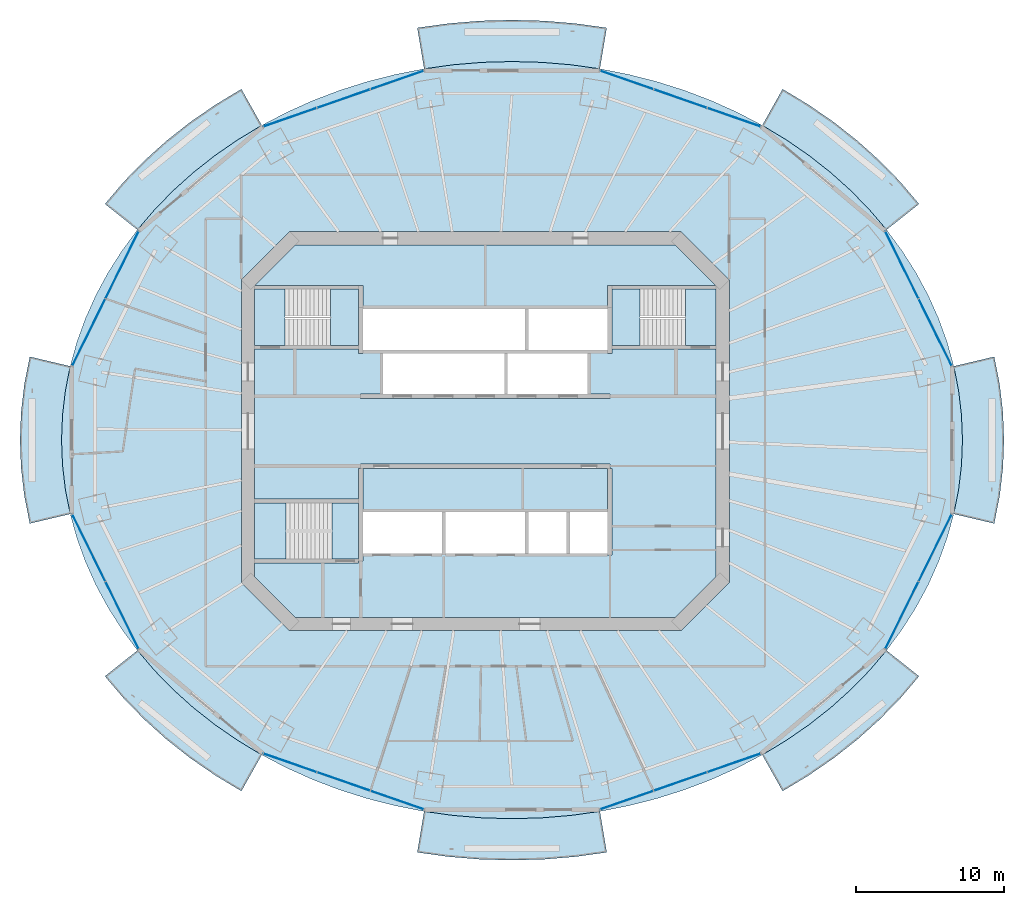
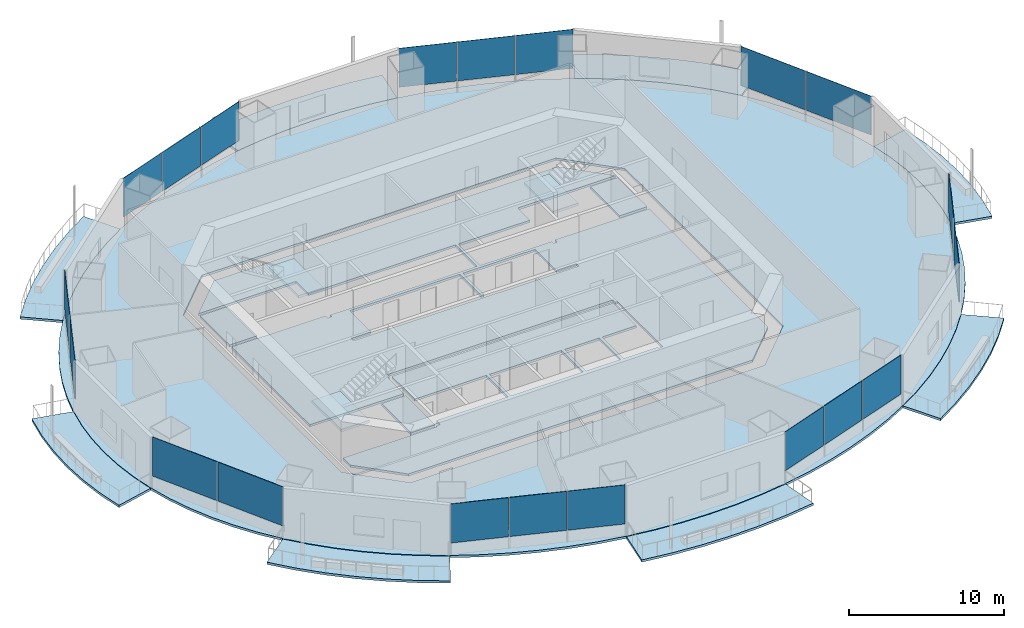
# One storey, part 9 of 19: 20 plates, 16 slabs, 11 elements without a shape of their own.
"""IFC4 building model written with IfcOpenShell, lengths in metres."""

from ifc_helpers import new_model, si_unit, direction, frame, origin, origin_2d, place, context, subcontext, project, spatial, polyline, rectangle, outline, extrude, material, layer, layer_set, type_object, element, aggregate, save


model = new_model("IFC4")

# Units and contexts
model_context = context("Model", 3, precision=1e-05, world=origin(), true_north=direction((0.0, 1.0)))
body_context = subcontext(model_context, "Body", "Model", "MODEL_VIEW")
ifc_project = project(units=[si_unit("LENGTHUNIT", "METRE"), si_unit("AREAUNIT", "SQUARE_METRE"), si_unit("VOLUMEUNIT", "CUBIC_METRE"), si_unit("PLANEANGLEUNIT", "RADIAN"), si_unit("MASSUNIT", "GRAM", prefix="KILO")], contexts=[model_context])

# Site, building, storey
site_placement = place(None, origin())
site = spatial("IfcSite", under=ifc_project, at=site_placement, CompositionType="ELEMENT")
building_placement = place(site_placement, origin())
building = spatial("IfcBuilding", under=site, at=building_placement, Name="Marenthal Gate Tower", CompositionType="ELEMENT")
storey_placement = place(building_placement, frame((0.0, 0.0, 235.75)))
storey = spatial("IfcBuildingStorey", under=building, at=storey_placement, Name="L52", CompositionType="ELEMENT", Elevation=235.75)

# Slabs
ifc_material_1 = material(Name="Concrete 40 MPa", Category="concrete")
ifc_layer_1 = layer(ifc_material_1, 0.179931640625)
ifc_layer_set_1 = layer_set([ifc_layer_1], Name="Balcony deck 180")
slab_type_1 = type_object("IfcSlabType", Name="Balcony deck 180", PredefinedType="USERDEFINED", material=ifc_layer_set_1)
slab_1_placement = place(storey_placement, frame((0.0, 0.0, -0.219970703125)))
element("IfcSlab", 1, at=slab_1_placement, inside=storey, type_object=slab_type_1, Name="Balcony deck L52 bay 2", ObjectType="BALCONY", PredefinedType="USERDEFINED", context=body_context, shape_type="SweptSolid", body=[
    extrude(outline(polyline([(27.047607421875, 13.57763671875), (25.89013671875, 14.93505859375), (24.629638671875, 16.225830078125), (23.271240234375, 17.444580078125), (21.821044921875, 18.586181640625), (20.284912109375, 19.6455078125), (18.669921875, 20.618408203125), (20.040771484375, 23.059814453125), (21.802490234375, 21.998779296875), (23.482177734375, 20.840087890625), (25.07275390625, 19.588134765625), (26.56689453125, 18.247314453125), (27.9580078125, 16.822998046875), (29.2392578125, 15.320068359375), (27.047607421875, 13.57763671875)])), origin(), (0.0, 0.0, 1.0), 0.179931640625),
])
slab_2_placement = place(storey_placement, frame((0.0, 0.0, -0.219970703125)))
element("IfcSlab", 2, at=slab_2_placement, inside=storey, type_object=slab_type_1, Name="Balcony deck L52 bay 4", ObjectType="BALCONY", PredefinedType="USERDEFINED", context=body_context, shape_type="SweptSolid", body=[
    extrude(outline(polyline([(7.723876953125, 24.4287109375), (5.763427734375, 24.70068359375), (3.785888671875, 24.864501953125), (1.800048828125, 24.9189453125), (-0.18603515625, 24.864501953125), (-2.163330078125, 24.70068359375), (-4.123779296875, 24.4287109375), (-4.58544921875, 27.1904296875), (-2.471435546875, 27.483642578125), (-0.340087890625, 27.66015625), (1.800048828125, 27.718994140625), (3.93994140625, 27.66015625), (6.0712890625, 27.483642578125), (8.185546875, 27.1904296875), (7.723876953125, 24.4287109375)])), origin(), (0.0, 0.0, 1.0), 0.179931640625),
])
slab_3_placement = place(storey_placement, frame((0.0, 0.0, -0.219970703125)))
element("IfcSlab", 3, at=slab_3_placement, inside=storey, type_object=slab_type_1, Name="Balcony deck L52 bay 6", ObjectType="BALCONY", PredefinedType="USERDEFINED", context=body_context, shape_type="SweptSolid", body=[
    extrude(outline(polyline([(-15.06982421875, 20.618408203125), (-16.68505859375, 19.6455078125), (-18.220947265625, 18.586181640625), (-19.67138671875, 17.444580078125), (-21.029541015625, 16.225830078125), (-22.290283203125, 14.93505859375), (-23.447509765625, 13.57763671875), (-25.639404296875, 15.320068359375), (-24.35791015625, 16.822998046875), (-22.966796875, 18.247314453125), (-21.47265625, 19.588134765625), (-19.88232421875, 20.840087890625), (-18.202392578125, 21.998779296875), (-16.44091796875, 23.059814453125), (-15.06982421875, 20.618408203125)])), origin(), (0.0, 0.0, 1.0), 0.179931640625),
])
slab_4_placement = place(storey_placement, frame((0.0, 0.0, -0.219970703125)))
element("IfcSlab", 4, at=slab_4_placement, inside=storey, type_object=slab_type_1, Name="Balcony deck L52 bay 8", ObjectType="BALCONY", PredefinedType="USERDEFINED", context=body_context, shape_type="SweptSolid", body=[
    extrude(outline(polyline([(-27.9814453125, 4.37841796875), (-28.30517578125, 2.73095703125), (-28.5, 1.069091796875), (-28.56494140625, -0.60009765625), (-28.5, -2.26904296875), (-28.30517578125, -3.930908203125), (-27.9814453125, -5.57861328125), (-30.706298828125, -6.223388671875), (-31.071533203125, -4.3642578125), (-31.29150390625, -2.48681640625), (-31.364990234375, -0.60009765625), (-31.29150390625, 1.28662109375), (-31.071533203125, 3.164306640625), (-30.706298828125, 5.0234375), (-27.9814453125, 4.37841796875)])), origin(), (0.0, 0.0, 1.0), 0.179931640625),
])
slab_5_placement = place(storey_placement, frame((0.0, 0.0, -0.219970703125)))
element("IfcSlab", 5, at=slab_5_placement, inside=storey, type_object=slab_type_1, Name="Balcony deck L52 bay 10", ObjectType="BALCONY", PredefinedType="USERDEFINED", context=body_context, shape_type="SweptSolid", body=[
    extrude(outline(polyline([(-23.447509765625, -14.777587890625), (-22.290283203125, -16.135009765625), (-21.029541015625, -17.42578125), (-19.67138671875, -18.644775390625), (-18.220947265625, -19.7861328125), (-16.68505859375, -20.845703125), (-15.06982421875, -21.818359375), (-16.44091796875, -24.259765625), (-18.202392578125, -23.19873046875), (-19.88232421875, -22.040283203125), (-21.47265625, -20.788330078125), (-22.966796875, -19.447509765625), (-24.35791015625, -18.02294921875), (-25.639404296875, -16.52001953125), (-23.447509765625, -14.777587890625)])), origin(), (0.0, 0.0, 1.0), 0.179931640625),
])
slab_6_placement = place(storey_placement, frame((0.0, 0.0, -0.219970703125)))
element("IfcSlab", 6, at=slab_6_placement, inside=storey, type_object=slab_type_1, Name="Balcony deck L52 bay 12", ObjectType="BALCONY", PredefinedType="USERDEFINED", context=body_context, shape_type="SweptSolid", body=[
    extrude(outline(polyline([(-4.123779296875, -25.628662109375), (-2.163330078125, -25.900634765625), (-0.18603515625, -26.064453125), (1.800048828125, -26.118896484375), (3.785888671875, -26.064453125), (5.763427734375, -25.900634765625), (7.723876953125, -25.628662109375), (8.185546875, -28.390380859375), (6.0712890625, -28.683837890625), (3.93994140625, -28.860107421875), (1.800048828125, -28.9189453125), (-0.340087890625, -28.860107421875), (-2.471435546875, -28.683837890625), (-4.58544921875, -28.390380859375), (-4.123779296875, -25.628662109375)])), origin(), (0.0, 0.0, 1.0), 0.179931640625),
])
slab_7_placement = place(storey_placement, frame((0.0, 0.0, -0.219970703125)))
element("IfcSlab", 7, at=slab_7_placement, inside=storey, type_object=slab_type_1, Name="Balcony deck L52 bay 14", ObjectType="BALCONY", PredefinedType="USERDEFINED", context=body_context, shape_type="SweptSolid", body=[
    extrude(outline(polyline([(18.669921875, -21.818359375), (20.284912109375, -20.845703125), (21.821044921875, -19.7861328125), (23.271240234375, -18.644775390625), (24.629638671875, -17.42578125), (25.89013671875, -16.135009765625), (27.047607421875, -14.777587890625), (29.2392578125, -16.52001953125), (27.9580078125, -18.02294921875), (26.56689453125, -19.447509765625), (25.07275390625, -20.788330078125), (23.482177734375, -22.040283203125), (21.802490234375, -23.19873046875), (20.040771484375, -24.259765625), (18.669921875, -21.818359375)])), origin(), (0.0, 0.0, 1.0), 0.179931640625),
])
slab_8_placement = place(storey_placement, frame((0.0, 0.0, -0.219970703125)))
element("IfcSlab", 8, at=slab_8_placement, inside=storey, type_object=slab_type_1, Name="Balcony deck L52 bay 16", ObjectType="BALCONY", PredefinedType="USERDEFINED", context=body_context, shape_type="SweptSolid", body=[
    extrude(outline(polyline([(31.58154296875, -5.57861328125), (31.9052734375, -3.930908203125), (32.10009765625, -2.26904296875), (32.1650390625, -0.60009765625), (32.10009765625, 1.069091796875), (31.9052734375, 2.73095703125), (31.58154296875, 4.37841796875), (34.30615234375, 5.0234375), (34.67138671875, 3.164306640625), (34.8916015625, 1.28662109375), (34.965087890625, -0.60009765625), (34.8916015625, -2.48681640625), (34.67138671875, -4.3642578125), (34.30615234375, -6.223388671875), (31.58154296875, -5.57861328125)])), origin(), (0.0, 0.0, 1.0), 0.179931640625),
])
ifc_material_2 = material(Name="Concrete 50 MPa", Category="concrete")
ifc_layer_2 = layer(ifc_material_2, 0.179931640625)
ifc_layer_set_2 = layer_set([ifc_layer_2], Name="Core floor slab 180")
slab_type_2 = type_object("IfcSlabType", Name="Core floor slab 180", PredefinedType="FLOOR", material=ifc_layer_set_2)
slab_9_placement = place(storey_placement, frame((0.0, 0.0, -0.179931640625)))
element("IfcSlab", 9, at=slab_9_placement, inside=storey, type_object=slab_type_2, Name="Core floor L52", PredefinedType="FLOOR", context=body_context, shape_type="SweptSolid", body=[
    extrude(outline(polyline([(12.813720703125, -12.550048828125), (-12.813720703125, -12.550048828125), (-15.550048828125, -9.813720703125), (-15.550048828125, -8.875), (-8.550048828125, -8.875), (-8.550048828125, -8.75), (-8.25, -8.75), (-8.25, -8.239990234375), (-5.60009765625, -8.239990234375), (-2.909912109375, -8.239990234375), (-2.909912109375, -5.4599609375), (-5.60009765625, -5.4599609375), (-8.25, -5.4599609375), (-8.25, -2.5), (8.25, -2.5), (8.25, -5.4599609375), (5.7099609375, -5.4599609375), (5.7099609375, -8.239990234375), (8.25, -8.239990234375), (8.25, -8.35009765625), (8.550048828125, -8.35009765625), (8.550048828125, -2.5), (8.39990234375, -2.5), (8.39990234375, -2.199951171875), (-8.39990234375, -2.199951171875), (-8.39990234375, -2.5), (-8.550048828125, -2.5), (-8.550048828125, -4.574951171875), (-15.550048828125, -4.574951171875), (-15.550048828125, 5.52490234375), (-8.550048828125, 5.52490234375), (-8.550048828125, 5.239990234375), (-8.25, 5.239990234375), (-8.25, 5.4599609375), (-5.60009765625, 5.4599609375), (-2.800048828125, 5.4599609375), (0.0, 5.4599609375), (2.68994140625, 5.4599609375), (2.68994140625, 8.239990234375), (0.0, 8.239990234375), (-2.800048828125, 8.239990234375), (-5.60009765625, 8.239990234375), (-8.25, 8.239990234375), (-8.25, 8.35009765625), (-8.25, 9.824951171875), (-8.550048828125, 9.824951171875), (-15.53857421875, 9.824951171875), (-12.813720703125, 12.550048828125), (12.813720703125, 12.550048828125), (15.53857421875, 9.824951171875), (8.550048828125, 9.824951171875), (8.25, 9.824951171875), (8.25, 8.35009765625), (8.25, 8.239990234375), (5.60009765625, 8.239990234375), (2.909912109375, 8.239990234375), (2.909912109375, 5.4599609375), (5.60009765625, 5.4599609375), (8.25, 5.4599609375), (8.25, 5.239990234375), (8.550048828125, 5.239990234375), (8.550048828125, 5.52490234375), (15.550048828125, 5.52490234375), (15.550048828125, -9.813720703125), (12.813720703125, -12.550048828125)]), holes=[polyline([(2.68994140625, -8.239990234375), (2.68994140625, -5.4599609375), (0.0, -5.4599609375), (-2.68994140625, -5.4599609375), (-2.68994140625, -8.239990234375), (0.0, -8.239990234375), (2.68994140625, -8.239990234375)]), polyline([(-6.889892578125, 5.239990234375), (-6.889892578125, 2.5), (-8.39990234375, 2.5), (-8.39990234375, 2.199951171875), (8.39990234375, 2.199951171875), (8.39990234375, 2.5), (6.889892578125, 2.5), (6.889892578125, 5.239990234375), (4.199951171875, 5.239990234375), (1.510009765625, 5.239990234375), (1.510009765625, 2.5), (1.2900390625, 2.5), (1.2900390625, 5.239990234375), (-1.39990234375, 5.239990234375), (-4.199951171875, 5.239990234375), (-6.889892578125, 5.239990234375)]), polyline([(5.489990234375, -8.239990234375), (5.489990234375, -5.4599609375), (2.909912109375, -5.4599609375), (2.909912109375, -8.239990234375), (5.489990234375, -8.239990234375)])]), origin(), (0.0, 0.0, 1.0), 0.179931640625),
])
slab_10_placement = place(storey_placement, frame((0.0, 0.0, -0.179931640625)))
element("IfcSlab", 10, at=slab_10_placement, inside=storey, type_object=slab_type_2, Name="Core floor L52", PredefinedType="FLOOR", context=body_context, shape_type="SweptSolid", body=[
    extrude(outline(polyline([(15.550048828125, 5.77490234375), (13.5, 5.77490234375), (13.5, 9.574951171875), (15.550048828125, 9.574951171875), (15.550048828125, 5.77490234375)])), origin(), (0.0, 0.0, 1.0), 0.179931640625),
])
slab_11_placement = place(storey_placement, frame((0.0, 0.0, -0.179931640625)))
element("IfcSlab", 11, at=slab_11_placement, inside=storey, type_object=slab_type_2, Name="Core floor L52", PredefinedType="FLOOR", context=body_context, shape_type="SweptSolid", body=[
    extrude(outline(polyline([(-15.550048828125, 9.574951171875), (-13.5, 9.574951171875), (-13.5, 5.77490234375), (-15.550048828125, 5.77490234375), (-15.550048828125, 9.574951171875)])), origin(), (0.0, 0.0, 1.0), 0.179931640625),
])
slab_12_placement = place(storey_placement, frame((0.0, 0.0, -0.179931640625)))
element("IfcSlab", 12, at=slab_12_placement, inside=storey, type_object=slab_type_2, Name="Core floor L52", PredefinedType="FLOOR", context=body_context, shape_type="SweptSolid", body=[
    extrude(outline(polyline([(-8.550048828125, -8.625), (-10.35009765625, -8.625), (-10.35009765625, -4.824951171875), (-8.550048828125, -4.824951171875), (-8.550048828125, -8.625)])), origin(), (0.0, 0.0, 1.0), 0.179931640625),
])
ifc_material_3 = material(Name="Concrete 35 MPa", Category="concrete")
ifc_layer_3 = layer(ifc_material_3, 0.179931640625)
ifc_layer_set_3 = layer_set([ifc_layer_3], Name="Floor slab 180")
slab_type_3 = type_object("IfcSlabType", Name="Floor slab 180", PredefinedType="FLOOR", material=ifc_layer_set_3)
slab_13_placement = place(storey_placement, frame((0.0, 0.0, -0.179931640625)))
element("IfcSlab", 13, at=slab_13_placement, inside=storey, type_object=slab_type_3, Name="SL-L52-01", PredefinedType="FLOOR", context=body_context, shape_type="SweptSolid", body=[
    extrude(outline(polyline([(32.1650390625, -0.60009765625), (32.10009765625, 1.069091796875), (31.9052734375, 2.73095703125), (31.58154296875, 4.37841796875), (31.13037109375, 6.0048828125), (30.553466796875, 7.602783203125), (29.853515625, 9.165771484375), (29.033447265625, 10.686767578125), (28.096923828125, 12.159423828125), (27.047607421875, 13.57763671875), (25.89013671875, 14.93505859375), (24.629638671875, 16.225830078125), (23.271240234375, 17.444580078125), (21.821044921875, 18.586181640625), (20.284912109375, 19.6455078125), (18.669921875, 20.618408203125), (16.982421875, 21.5), (15.22998046875, 22.287353515625), (13.420166015625, 22.9765625), (11.560546875, 23.564697265625), (9.658935546875, 24.049560546875), (7.723876953125, 24.4287109375), (5.763427734375, 24.70068359375), (3.785888671875, 24.864501953125), (1.800048828125, 24.9189453125), (-0.18603515625, 24.864501953125), (-2.163330078125, 24.70068359375), (-4.123779296875, 24.4287109375), (-6.05908203125, 24.049560546875), (-7.96044921875, 23.564697265625), (-9.8203125, 22.9765625), (-11.630126953125, 22.287353515625), (-13.382568359375, 21.5), (-15.06982421875, 20.618408203125), (-16.68505859375, 19.6455078125), (-18.220947265625, 18.586181640625), (-19.67138671875, 17.444580078125), (-21.029541015625, 16.225830078125), (-22.290283203125, 14.93505859375), (-23.447509765625, 13.57763671875), (-24.496826171875, 12.159423828125), (-25.43359375, 10.686767578125), (-26.253662109375, 9.165771484375), (-26.95361328125, 7.602783203125), (-27.5302734375, 6.0048828125), (-27.9814453125, 4.37841796875), (-28.30517578125, 2.73095703125), (-28.5, 1.069091796875), (-28.56494140625, -0.60009765625), (-28.5, -2.26904296875), (-28.30517578125, -3.930908203125), (-27.9814453125, -5.57861328125), (-27.5302734375, -7.204833984375), (-26.95361328125, -8.802734375), (-26.253662109375, -10.36572265625), (-25.43359375, -11.88671875), (-24.496826171875, -13.359619140625), (-23.447509765625, -14.777587890625), (-22.290283203125, -16.135009765625), (-21.029541015625, -17.42578125), (-19.67138671875, -18.644775390625), (-18.220947265625, -19.7861328125), (-16.68505859375, -20.845703125), (-15.06982421875, -21.818359375), (-13.382568359375, -22.7001953125), (-11.630126953125, -23.4873046875), (-9.8203125, -24.176513671875), (-7.96044921875, -24.7646484375), (-6.05908203125, -25.24951171875), (-4.123779296875, -25.628662109375), (-2.163330078125, -25.900634765625), (-0.18603515625, -26.064453125), (1.800048828125, -26.118896484375), (3.785888671875, -26.064453125), (5.763427734375, -25.900634765625), (7.723876953125, -25.628662109375), (9.658935546875, -25.24951171875), (11.560546875, -24.7646484375), (13.420166015625, -24.176513671875), (15.22998046875, -23.4873046875), (16.982421875, -22.7001953125), (18.669921875, -21.818359375), (20.284912109375, -20.845703125), (21.821044921875, -19.7861328125), (23.271240234375, -18.644775390625), (24.629638671875, -17.42578125), (25.89013671875, -16.135009765625), (27.047607421875, -14.777587890625), (28.096923828125, -13.359619140625), (29.033447265625, -11.88671875), (29.853515625, -10.36572265625), (30.553466796875, -8.802734375), (31.13037109375, -7.204833984375), (31.58154296875, -5.57861328125), (31.9052734375, -3.930908203125), (32.10009765625, -2.26904296875), (32.1650390625, -0.60009765625)]), holes=[polyline([(13.186279296875, -13.449951171875), (16.449951171875, -10.186279296875), (16.449951171875, 10.186279296875), (13.186279296875, 13.449951171875), (-13.186279296875, 13.449951171875), (-16.449951171875, 10.186279296875), (-16.449951171875, -10.186279296875), (-13.186279296875, -13.449951171875), (13.186279296875, -13.449951171875)])]), origin(), (0.0, 0.0, 1.0), 0.179931640625),
])

# Curtain wall, plates
ifc_material_4 = material(Name="Aluminium and glass", Category="aluminium")
curtain_wall_type = type_object("IfcCurtainWallType", Name="Curtain wall typical mid", PredefinedType="NOTDEFINED", material=ifc_material_4)
curtain_wall_1_placement = place(storey_placement, origin())
curtain_wall_1 = element("IfcCurtainWall", 14, at=curtain_wall_1_placement, inside=storey, type_object=curtain_wall_type, Name="Curtain wall L52 bay 1", PredefinedType="NOTDEFINED")
ifc_material_5 = material(Name="Glass, laminated insulating unit", Category="glass")
ifc_layer_4 = layer(ifc_material_5, 0.030029296875)
ifc_layer_set_4 = layer_set([ifc_layer_4], Name="Glass panel 30 typical mid")
plate_type = type_object("IfcPlateType", Name="Glass panel 30 typical mid", PredefinedType="CURTAIN_PANEL", material=ifc_layer_set_4)
plate_1_placement = place(storey_placement, frame((30.328125, 6.657470703125, 0.89990234375), z_axis=(0.0, 0.0, 1.0), x_axis=(-0.442364258013, 0.896835471663, 0.0)))
plate_1 = element("IfcPlate", 15, at=plate_1_placement, type_object=plate_type, Name="Glass panel L52 bay 1.1", PredefinedType="CURTAIN_PANEL", context=body_context, shape_type="SweptSolid", body=[
    extrude(rectangle(XDim=5.014404296875, YDim=0.030029296875, at=origin_2d()), origin(), (0.0, 0.0, 1.0), 3.070068359375),
])
plate_2_placement = place(storey_placement, frame((28.08349609375, 11.20849609375, 0.89990234375), z_axis=(0.0, 0.0, 1.0), x_axis=(-0.442364258013, 0.896835471663, 0.0)))
plate_2 = element("IfcPlate", 16, at=plate_2_placement, type_object=plate_type, Name="Glass panel L52 bay 1.2", PredefinedType="CURTAIN_PANEL", context=body_context, shape_type="SweptSolid", body=[
    extrude(rectangle(XDim=5.014404296875, YDim=0.030029296875, at=origin_2d()), origin(), (0.0, 0.0, 1.0), 3.070068359375),
])
aggregate(curtain_wall_1, [plate_1, plate_2])

curtain_wall_2_placement = place(storey_placement, origin())
curtain_wall_2 = element("IfcCurtainWall", 17, at=curtain_wall_2_placement, inside=storey, type_object=curtain_wall_type, Name="Curtain wall L52 bay 3", PredefinedType="NOTDEFINED")
plate_3_placement = place(storey_placement, frame((16.76708984375, 21.1572265625, 0.89990234375), z_axis=(0.0, 0.0, 1.0), x_axis=(-0.944489901241, 0.328540448732, 0.0)))
plate_3 = element("IfcPlate", 18, at=plate_3_placement, type_object=plate_type, Name="Glass panel L52 bay 3.1", PredefinedType="CURTAIN_PANEL", context=body_context, shape_type="SweptSolid", body=[
    extrude(rectangle(XDim=3.767822265625, YDim=0.030029296875, at=origin_2d()), origin(), (0.0, 0.0, 1.0), 3.070068359375),
])
plate_4_placement = place(storey_placement, frame((13.15185546875, 22.414794921875, 0.89990234375), z_axis=(0.0, 0.0, 1.0), x_axis=(-0.944489901241, 0.328540448732, 0.0)))
plate_4 = element("IfcPlate", 19, at=plate_4_placement, type_object=plate_type, Name="Glass panel L52 bay 3.2", PredefinedType="CURTAIN_PANEL", context=body_context, shape_type="SweptSolid", body=[
    extrude(rectangle(XDim=3.767822265625, YDim=0.030029296875, at=origin_2d()), origin(), (0.0, 0.0, 1.0), 3.070068359375),
])
plate_5_placement = place(storey_placement, frame((9.536376953125, 23.67236328125, 0.89990234375), z_axis=(0.0, 0.0, 1.0), x_axis=(-0.944489901241, 0.328540448732, 0.0)))
plate_5 = element("IfcPlate", 20, at=plate_5_placement, type_object=plate_type, Name="Glass panel L52 bay 3.3", PredefinedType="CURTAIN_PANEL", context=body_context, shape_type="SweptSolid", body=[
    extrude(rectangle(XDim=3.767822265625, YDim=0.030029296875, at=origin_2d()), origin(), (0.0, 0.0, 1.0), 3.070068359375),
])
aggregate(curtain_wall_2, [plate_3, plate_4, plate_5])

curtain_wall_3_placement = place(storey_placement, origin())
curtain_wall_3 = element("IfcCurtainWall", 21, at=curtain_wall_3_placement, inside=storey, type_object=curtain_wall_type, Name="Curtain wall L52 bay 5", PredefinedType="NOTDEFINED")
plate_6_placement = place(storey_placement, frame((-5.9365234375, 23.67236328125, 0.89990234375), z_axis=(0.0, 0.0, 1.0), x_axis=(-0.944489901241, -0.328540448732, 0.0)))
plate_6 = element("IfcPlate", 22, at=plate_6_placement, type_object=plate_type, Name="Glass panel L52 bay 5.1", PredefinedType="CURTAIN_PANEL", context=body_context, shape_type="SweptSolid", body=[
    extrude(rectangle(XDim=3.767822265625, YDim=0.030029296875, at=origin_2d()), origin(), (0.0, 0.0, 1.0), 3.070068359375),
])
plate_7_placement = place(storey_placement, frame((-9.5517578125, 22.414794921875, 0.89990234375), z_axis=(0.0, 0.0, 1.0), x_axis=(-0.944489901241, -0.328540448732, 0.0)))
plate_7 = element("IfcPlate", 23, at=plate_7_placement, type_object=plate_type, Name="Glass panel L52 bay 5.2", PredefinedType="CURTAIN_PANEL", context=body_context, shape_type="SweptSolid", body=[
    extrude(rectangle(XDim=3.767822265625, YDim=0.030029296875, at=origin_2d()), origin(), (0.0, 0.0, 1.0), 3.070068359375),
])
plate_8_placement = place(storey_placement, frame((-13.167236328125, 21.1572265625, 0.89990234375), z_axis=(0.0, 0.0, 1.0), x_axis=(-0.944489901241, -0.328540448732, 0.0)))
plate_8 = element("IfcPlate", 24, at=plate_8_placement, type_object=plate_type, Name="Glass panel L52 bay 5.3", PredefinedType="CURTAIN_PANEL", context=body_context, shape_type="SweptSolid", body=[
    extrude(rectangle(XDim=3.767822265625, YDim=0.030029296875, at=origin_2d()), origin(), (0.0, 0.0, 1.0), 3.070068359375),
])
aggregate(curtain_wall_3, [plate_6, plate_7, plate_8])

curtain_wall_4_placement = place(storey_placement, origin())
curtain_wall_4 = element("IfcCurtainWall", 25, at=curtain_wall_4_placement, inside=storey, type_object=curtain_wall_type, Name="Curtain wall L52 bay 7", PredefinedType="NOTDEFINED")
plate_9_placement = place(storey_placement, frame((-24.4833984375, 11.20849609375, 0.89990234375), z_axis=(0.0, 0.0, 1.0), x_axis=(-0.442364258013, -0.896835471663, 0.0)))
plate_9 = element("IfcPlate", 26, at=plate_9_placement, type_object=plate_type, Name="Glass panel L52 bay 7.1", PredefinedType="CURTAIN_PANEL", context=body_context, shape_type="SweptSolid", body=[
    extrude(rectangle(XDim=5.014404296875, YDim=0.030029296875, at=origin_2d()), origin(), (0.0, 0.0, 1.0), 3.070068359375),
])
plate_10_placement = place(storey_placement, frame((-26.728271484375, 6.657470703125, 0.89990234375), z_axis=(0.0, 0.0, 1.0), x_axis=(-0.442364258013, -0.896835471663, 0.0)))
plate_10 = element("IfcPlate", 27, at=plate_10_placement, type_object=plate_type, Name="Glass panel L52 bay 7.2", PredefinedType="CURTAIN_PANEL", context=body_context, shape_type="SweptSolid", body=[
    extrude(rectangle(XDim=5.014404296875, YDim=0.030029296875, at=origin_2d()), origin(), (0.0, 0.0, 1.0), 3.070068359375),
])
aggregate(curtain_wall_4, [plate_9, plate_10])

curtain_wall_5_placement = place(storey_placement, origin())
curtain_wall_5 = element("IfcCurtainWall", 28, at=curtain_wall_5_placement, inside=storey, type_object=curtain_wall_type, Name="Curtain wall L52 bay 9", PredefinedType="NOTDEFINED")
plate_11_placement = place(storey_placement, frame((-26.728271484375, -7.857421875, 0.89990234375), z_axis=(0.0, 0.0, 1.0), x_axis=(0.442364258013, -0.896835471663, 0.0)))
plate_11 = element("IfcPlate", 29, at=plate_11_placement, type_object=plate_type, Name="Glass panel L52 bay 9.1", PredefinedType="CURTAIN_PANEL", context=body_context, shape_type="SweptSolid", body=[
    extrude(rectangle(XDim=5.014404296875, YDim=0.030029296875, at=origin_2d()), origin(), (0.0, 0.0, 1.0), 3.070068359375),
])
plate_12_placement = place(storey_placement, frame((-24.4833984375, -12.408447265625, 0.89990234375), z_axis=(0.0, 0.0, 1.0), x_axis=(0.442364258013, -0.896835471663, 0.0)))
plate_12 = element("IfcPlate", 30, at=plate_12_placement, type_object=plate_type, Name="Glass panel L52 bay 9.2", PredefinedType="CURTAIN_PANEL", context=body_context, shape_type="SweptSolid", body=[
    extrude(rectangle(XDim=5.014404296875, YDim=0.030029296875, at=origin_2d()), origin(), (0.0, 0.0, 1.0), 3.070068359375),
])
aggregate(curtain_wall_5, [plate_11, plate_12])

curtain_wall_6_placement = place(storey_placement, origin())
curtain_wall_6 = element("IfcCurtainWall", 31, at=curtain_wall_6_placement, inside=storey, type_object=curtain_wall_type, Name="Curtain wall L52 bay 11", PredefinedType="NOTDEFINED")
plate_13_placement = place(storey_placement, frame((-13.167236328125, -22.357177734375, 0.89990234375), z_axis=(0.0, 0.0, 1.0), x_axis=(0.944489901241, -0.328540448732, 0.0)))
plate_13 = element("IfcPlate", 32, at=plate_13_placement, type_object=plate_type, Name="Glass panel L52 bay 11.1", PredefinedType="CURTAIN_PANEL", context=body_context, shape_type="SweptSolid", body=[
    extrude(rectangle(XDim=3.767822265625, YDim=0.030029296875, at=origin_2d()), origin(), (0.0, 0.0, 1.0), 3.070068359375),
])
plate_14_placement = place(storey_placement, frame((-9.5517578125, -23.61474609375, 0.89990234375), z_axis=(0.0, 0.0, 1.0), x_axis=(0.944489901241, -0.328540448732, 0.0)))
plate_14 = element("IfcPlate", 33, at=plate_14_placement, type_object=plate_type, Name="Glass panel L52 bay 11.2", PredefinedType="CURTAIN_PANEL", context=body_context, shape_type="SweptSolid", body=[
    extrude(rectangle(XDim=3.767822265625, YDim=0.030029296875, at=origin_2d()), origin(), (0.0, 0.0, 1.0), 3.070068359375),
])
plate_15_placement = place(storey_placement, frame((-5.9365234375, -24.872314453125, 0.89990234375), z_axis=(0.0, 0.0, 1.0), x_axis=(0.944489901241, -0.328540448732, 0.0)))
plate_15 = element("IfcPlate", 34, at=plate_15_placement, type_object=plate_type, Name="Glass panel L52 bay 11.3", PredefinedType="CURTAIN_PANEL", context=body_context, shape_type="SweptSolid", body=[
    extrude(rectangle(XDim=3.767822265625, YDim=0.030029296875, at=origin_2d()), origin(), (0.0, 0.0, 1.0), 3.070068359375),
])
aggregate(curtain_wall_6, [plate_13, plate_14, plate_15])

curtain_wall_7_placement = place(storey_placement, origin())
curtain_wall_7 = element("IfcCurtainWall", 35, at=curtain_wall_7_placement, inside=storey, type_object=curtain_wall_type, Name="Curtain wall L52 bay 13", PredefinedType="NOTDEFINED")
plate_16_placement = place(storey_placement, frame((9.536376953125, -24.872314453125, 0.89990234375), z_axis=(0.0, 0.0, 1.0), x_axis=(0.944489901241, 0.328540448732, 0.0)))
plate_16 = element("IfcPlate", 36, at=plate_16_placement, type_object=plate_type, Name="Glass panel L52 bay 13.1", PredefinedType="CURTAIN_PANEL", context=body_context, shape_type="SweptSolid", body=[
    extrude(rectangle(XDim=3.767822265625, YDim=0.030029296875, at=origin_2d()), origin(), (0.0, 0.0, 1.0), 3.070068359375),
])
plate_17_placement = place(storey_placement, frame((13.15185546875, -23.61474609375, 0.89990234375), z_axis=(0.0, 0.0, 1.0), x_axis=(0.944489901241, 0.328540448732, 0.0)))
plate_17 = element("IfcPlate", 37, at=plate_17_placement, type_object=plate_type, Name="Glass panel L52 bay 13.2", PredefinedType="CURTAIN_PANEL", context=body_context, shape_type="SweptSolid", body=[
    extrude(rectangle(XDim=3.767822265625, YDim=0.030029296875, at=origin_2d()), origin(), (0.0, 0.0, 1.0), 3.070068359375),
])
plate_18_placement = place(storey_placement, frame((16.767333984375, -22.357177734375, 0.89990234375), z_axis=(0.0, 0.0, 1.0), x_axis=(0.944489901241, 0.328540448732, 0.0)))
plate_18 = element("IfcPlate", 38, at=plate_18_placement, type_object=plate_type, Name="Glass panel L52 bay 13.3", PredefinedType="CURTAIN_PANEL", context=body_context, shape_type="SweptSolid", body=[
    extrude(rectangle(XDim=3.767822265625, YDim=0.030029296875, at=origin_2d()), origin(), (0.0, 0.0, 1.0), 3.070068359375),
])
aggregate(curtain_wall_7, [plate_16, plate_17, plate_18])

curtain_wall_8_placement = place(storey_placement, origin())
curtain_wall_8 = element("IfcCurtainWall", 39, at=curtain_wall_8_placement, inside=storey, type_object=curtain_wall_type, Name="Curtain wall L52 bay 15", PredefinedType="NOTDEFINED")
plate_19_placement = place(storey_placement, frame((28.08349609375, -12.408447265625, 0.89990234375), z_axis=(0.0, 0.0, 1.0), x_axis=(0.442364258013, 0.896835471663, 0.0)))
plate_19 = element("IfcPlate", 40, at=plate_19_placement, type_object=plate_type, Name="Glass panel L52 bay 15.1", PredefinedType="CURTAIN_PANEL", context=body_context, shape_type="SweptSolid", body=[
    extrude(rectangle(XDim=5.014404296875, YDim=0.030029296875, at=origin_2d()), origin(), (0.0, 0.0, 1.0), 3.070068359375),
])
plate_20_placement = place(storey_placement, frame((30.328125, -7.857421875, 0.89990234375), z_axis=(0.0, 0.0, 1.0), x_axis=(0.442364258013, 0.896835471663, 0.0)))
plate_20 = element("IfcPlate", 41, at=plate_20_placement, type_object=plate_type, Name="Glass panel L52 bay 15.2", PredefinedType="CURTAIN_PANEL", context=body_context, shape_type="SweptSolid", body=[
    extrude(rectangle(XDim=5.014404296875, YDim=0.030029296875, at=origin_2d()), origin(), (0.0, 0.0, 1.0), 3.070068359375),
])
aggregate(curtain_wall_8, [plate_19, plate_20])

# Stair, slab
ifc_material_6 = material(Name="Concrete 40 MPa", Category="concrete")
stair_type = type_object("IfcStairType", Name="Exit stair 1800", PredefinedType="HALF_TURN_STAIR", material=ifc_material_6)
stair_1_placement = place(storey_placement, origin())
stair_1 = element("IfcStair", 42, at=stair_1_placement, inside=storey, type_object=stair_type, Name="Stair ST1", PredefinedType="HALF_TURN_STAIR")
ifc_material_7 = material(Name="Concrete 40 MPa", Category="concrete")
ifc_layer_5 = layer(ifc_material_7, 0.199951171875)
ifc_layer_set_5 = layer_set([ifc_layer_5], Name="Stair landing 200")
slab_type_4 = type_object("IfcSlabType", Name="Stair landing 200", PredefinedType="LANDING", material=ifc_layer_set_5)
slab_14_placement = place(storey_placement, frame((0.0, 0.0, 1.875)))
slab_14 = element("IfcSlab", 43, at=slab_14_placement, type_object=slab_type_4, Name="ST1 landing 1", PredefinedType="LANDING", context=body_context, shape_type="SweptSolid", body=[
    extrude(outline(polyline([(-10.419921875, 5.77490234375), (-8.550048828125, 5.77490234375), (-8.550048828125, 9.574951171875), (-10.419921875, 9.574951171875), (-10.419921875, 5.77490234375)])), origin(), (0.0, 0.0, 1.0), 0.199951171875),
])
aggregate(stair_1, [slab_14])

stair_2_placement = place(storey_placement, origin())
stair_2 = element("IfcStair", 44, at=stair_2_placement, inside=storey, type_object=stair_type, Name="Stair ST2", PredefinedType="HALF_TURN_STAIR")
slab_15_placement = place(storey_placement, frame((0.0, 0.0, 1.875)))
slab_15 = element("IfcSlab", 45, at=slab_15_placement, type_object=slab_type_4, Name="ST2 landing 1", PredefinedType="LANDING", context=body_context, shape_type="SweptSolid", body=[
    extrude(outline(polyline([(-15.550048828125, -8.625), (-13.429931640625, -8.625), (-13.429931640625, -4.824951171875), (-15.550048828125, -4.824951171875), (-15.550048828125, -8.625)])), origin(), (0.0, 0.0, 1.0), 0.199951171875),
])
aggregate(stair_2, [slab_15])

stair_3_placement = place(storey_placement, origin())
stair_3 = element("IfcStair", 46, at=stair_3_placement, inside=storey, type_object=stair_type, Name="Stair ST3", PredefinedType="HALF_TURN_STAIR")
slab_16_placement = place(storey_placement, frame((0.0, 0.0, 1.875)))
slab_16 = element("IfcSlab", 47, at=slab_16_placement, type_object=slab_type_4, Name="ST3 landing 1", PredefinedType="LANDING", context=body_context, shape_type="SweptSolid", body=[
    extrude(outline(polyline([(8.550048828125, 5.77490234375), (10.419921875, 5.77490234375), (10.419921875, 9.574951171875), (8.550048828125, 9.574951171875), (8.550048828125, 5.77490234375)])), origin(), (0.0, 0.0, 1.0), 0.199951171875),
])
aggregate(stair_3, [slab_16])

save(model, "model.ifc")
